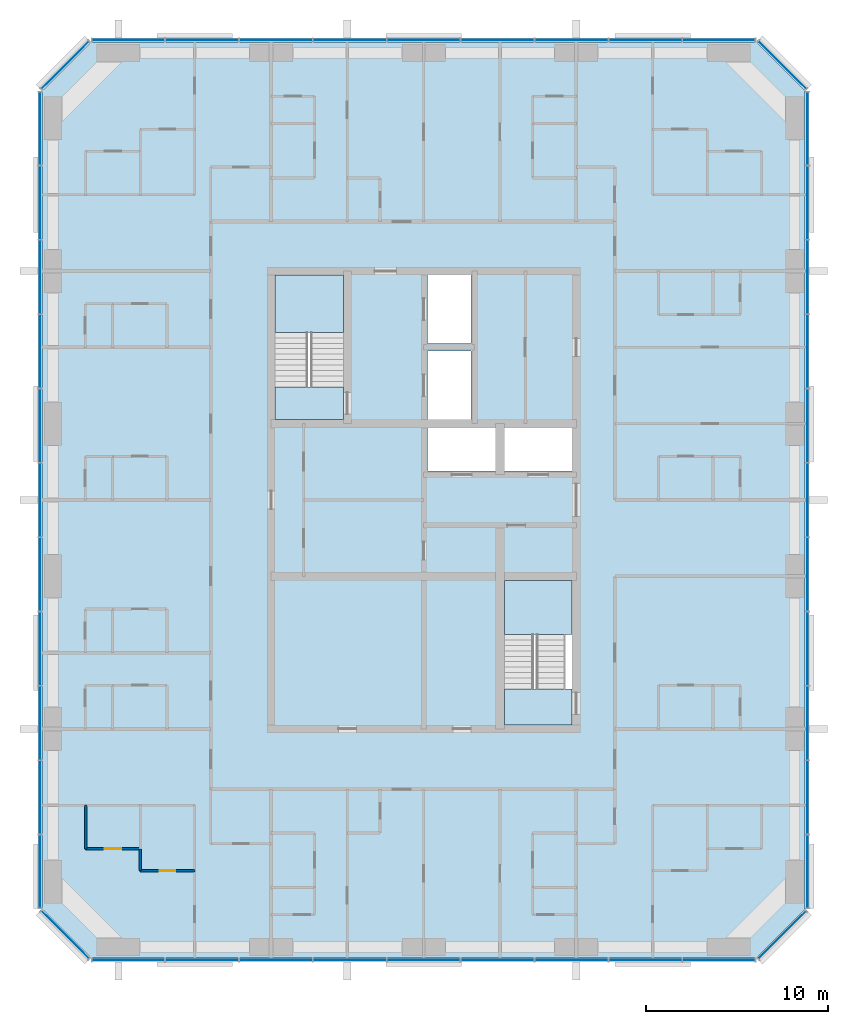
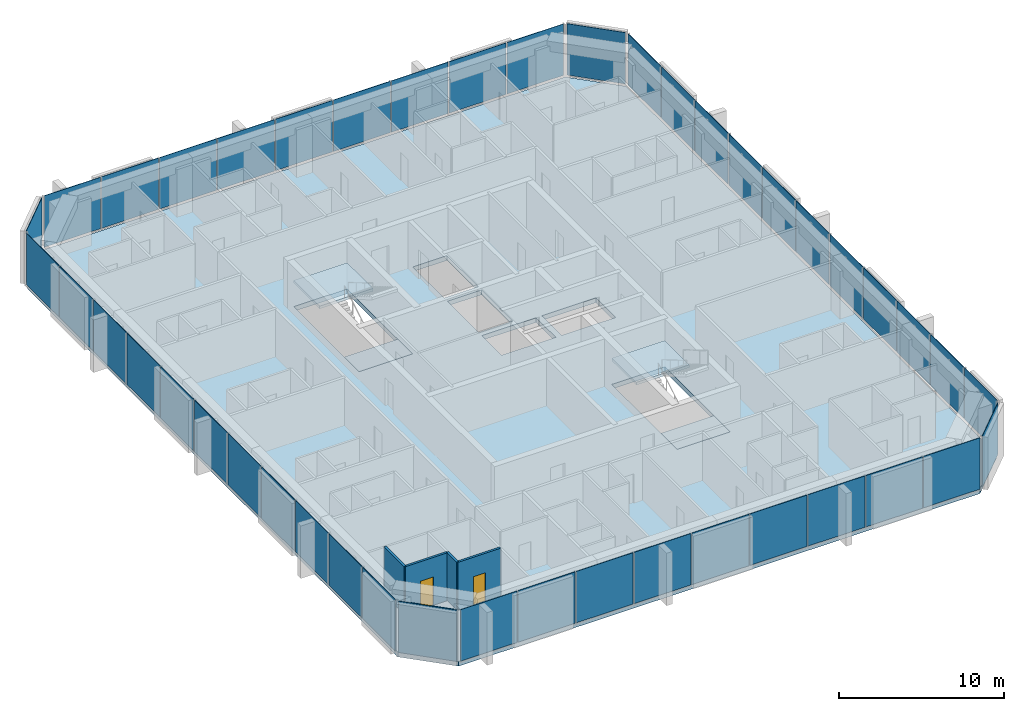
# One storey, part 6 of 13: 44 plates, 5 slabs, 4 walls, 2 doors, 2 openings, 10 elements without a shape of their own.
"""IFC4 building model written with IfcOpenShell, lengths in metres."""

from ifc_helpers import new_model, si_unit, direction, frame, frame_2d, origin, origin_2d, place, context, subcontext, project, spatial, polyline, rectangle, outline, extrude, material, layer, layer_set, type_object, element, fill, aggregate, save


model = new_model("IFC4")

# Units and contexts
model_context = context("Model", 3, precision=1e-05, world=origin(), true_north=direction((0.0, 1.0)))
body_context = subcontext(model_context, "Body", "Model", "MODEL_VIEW")
ifc_project = project(units=[si_unit("LENGTHUNIT", "METRE"), si_unit("AREAUNIT", "SQUARE_METRE"), si_unit("VOLUMEUNIT", "CUBIC_METRE"), si_unit("PLANEANGLEUNIT", "RADIAN"), si_unit("MASSUNIT", "GRAM", prefix="KILO")], contexts=[model_context])

# Site, building, storey
site_placement = place(None, origin())
site = spatial("IfcSite", under=ifc_project, at=site_placement, CompositionType="ELEMENT")
building_placement = place(site_placement, origin())
building = spatial("IfcBuilding", under=site, at=building_placement, Name="Dunama Terrace Hotel", CompositionType="ELEMENT")
storey_placement = place(building_placement, frame((0.0, 0.0, 280.199951171875)))
storey = spatial("IfcBuildingStorey", under=building, at=storey_placement, Name="L72", CompositionType="ELEMENT", Elevation=280.199951171875)

# Curtain wall, plates
ifc_material_1 = material(Name="Aluminium curtain wall system", Category="aluminium")
curtain_wall_type = type_object("IfcCurtainWallType", Name="Unitised fritted glass wall CW-D", PredefinedType="NOTDEFINED", material=ifc_material_1)
curtain_wall_1_placement = place(storey_placement, origin())
curtain_wall_1 = element("IfcCurtainWall", 1, at=curtain_wall_1_placement, inside=storey, type_object=curtain_wall_type, Name="Unitised fritted glass wall CW-D L72", PredefinedType="NOTDEFINED")
ifc_material_2 = material(Name="Laminated glass", Category="glass")
ifc_layer_1 = layer(ifc_material_2, 0.035888671875)
ifc_layer_set_1 = layer_set([ifc_layer_1], Name="CWD clear glass panel")
plate_type_1 = type_object("IfcPlateType", Name="CWD clear glass panel", PredefinedType="CURTAIN_PANEL", material=ifc_layer_set_1)
plate_1_placement = place(storey_placement, frame((25.467041015625, 4.080078125, 0.0849609375), z_axis=(0.0, 0.0, 1.0), x_axis=(1.0, 0.0, 0.0)))
plate_1 = element("IfcPlate", 2, at=plate_1_placement, type_object=plate_type_1, Name="CWD clear glass panel", PredefinedType="CURTAIN_PANEL", context=body_context, shape_type="SweptSolid", body=[
    extrude(rectangle(XDim=3.99658203125, YDim=0.035888671875, at=origin_2d()), origin(), (0.0, 0.0, 1.0), 3.81494140625),
])
plate_2_placement = place(storey_placement, frame((37.6669921875, 4.080078125, 0.0849609375), z_axis=(0.0, 0.0, 1.0), x_axis=(1.0, 0.0, 0.0)))
plate_2 = element("IfcPlate", 3, at=plate_2_placement, type_object=plate_type_1, Name="CWD clear glass panel", PredefinedType="CURTAIN_PANEL", context=body_context, shape_type="SweptSolid", body=[
    extrude(rectangle(XDim=3.99658203125, YDim=0.035888671875, at=origin_2d()), origin(), (0.0, 0.0, 1.0), 3.81494140625),
])
plate_3_placement = place(storey_placement, frame((49.84912109375, 4.080078125, 0.0849609375), z_axis=(0.0, 0.0, 1.0), x_axis=(1.0, 0.0, 0.0)))
plate_3 = element("IfcPlate", 4, at=plate_3_placement, type_object=plate_type_1, Name="CWD clear glass panel", PredefinedType="CURTAIN_PANEL", context=body_context, shape_type="SweptSolid", body=[
    extrude(rectangle(XDim=3.961669921875, YDim=0.035888671875, at=origin_2d()), origin(), (0.0, 0.0, 1.0), 3.81494140625),
])

curtain_wall_2_placement = place(storey_placement, origin())
curtain_wall_2 = element("IfcCurtainWall", 5, at=curtain_wall_2_placement, inside=storey, type_object=curtain_wall_type, Name="Unitised fritted glass wall CW-D L72", PredefinedType="NOTDEFINED")
plate_4_placement = place(storey_placement, frame((54.719970703125, 13.035888671875, 0.0849609375), z_axis=(0.0, 0.0, 1.0), x_axis=(0.0, 1.0, 0.0)))
plate_4 = element("IfcPlate", 6, at=plate_4_placement, type_object=plate_type_1, Name="CWD clear glass panel", PredefinedType="CURTAIN_PANEL", context=body_context, shape_type="SweptSolid", body=[
    extrude(rectangle(XDim=4.02099609375, YDim=0.035888671875, at=origin_2d()), origin(), (0.0, 0.0, 1.0), 3.81494140625),
])
plate_5_placement = place(storey_placement, frame((54.719970703125, 25.30908203125, 0.0849609375), z_axis=(0.0, 0.0, 1.0), x_axis=(0.0, 1.0, 0.0)))
plate_5 = element("IfcPlate", 7, at=plate_5_placement, type_object=plate_type_1, Name="CWD clear glass panel", PredefinedType="CURTAIN_PANEL", context=body_context, shape_type="SweptSolid", body=[
    extrude(rectangle(XDim=4.02099609375, YDim=0.035888671875, at=origin_2d()), origin(), (0.0, 0.0, 1.0), 3.81494140625),
])
plate_6_placement = place(storey_placement, frame((54.719970703125, 37.58203125, 0.0849609375), z_axis=(0.0, 0.0, 1.0), x_axis=(0.0, 1.0, 0.0)))
plate_6 = element("IfcPlate", 8, at=plate_6_placement, type_object=plate_type_1, Name="CWD clear glass panel", PredefinedType="CURTAIN_PANEL", context=body_context, shape_type="SweptSolid", body=[
    extrude(rectangle(XDim=4.02099609375, YDim=0.035888671875, at=origin_2d()), origin(), (0.0, 0.0, 1.0), 3.81494140625),
])
plate_7_placement = place(storey_placement, frame((54.719970703125, 49.8369140625, 0.0849609375), z_axis=(0.0, 0.0, 1.0), x_axis=(0.0, 1.0, 0.0)))
plate_7 = element("IfcPlate", 9, at=plate_7_placement, type_object=plate_type_1, Name="CWD clear glass panel", PredefinedType="CURTAIN_PANEL", context=body_context, shape_type="SweptSolid", body=[
    extrude(rectangle(XDim=3.98583984375, YDim=0.035888671875, at=origin_2d()), origin(), (0.0, 0.0, 1.0), 3.81494140625),
])

curtain_wall_3_placement = place(storey_placement, origin())
curtain_wall_3 = element("IfcCurtainWall", 10, at=curtain_wall_3_placement, inside=storey, type_object=curtain_wall_type, Name="Unitised fritted glass wall CW-D L72", PredefinedType="NOTDEFINED")
plate_8_placement = place(storey_placement, frame((45.800048828125, 54.719970703125, 0.0849609375), z_axis=(0.0, 0.0, 1.0), x_axis=(-1.0, 0.0, 0.0)))
plate_8 = element("IfcPlate", 11, at=plate_8_placement, type_object=plate_type_1, Name="CWD clear glass panel", PredefinedType="CURTAIN_PANEL", context=body_context, shape_type="SweptSolid", body=[
    extrude(rectangle(XDim=3.99658203125, YDim=0.035888671875, at=origin_2d()), origin(), (0.0, 0.0, 1.0), 3.81494140625),
])
plate_9_placement = place(storey_placement, frame((33.60009765625, 54.719970703125, 0.0849609375), z_axis=(0.0, 0.0, 1.0), x_axis=(-1.0, 0.0, 0.0)))
plate_9 = element("IfcPlate", 12, at=plate_9_placement, type_object=plate_type_1, Name="CWD clear glass panel", PredefinedType="CURTAIN_PANEL", context=body_context, shape_type="SweptSolid", body=[
    extrude(rectangle(XDim=3.99658203125, YDim=0.035888671875, at=origin_2d()), origin(), (0.0, 0.0, 1.0), 3.81494140625),
])
plate_10_placement = place(storey_placement, frame((21.39990234375, 54.719970703125, 0.0849609375), z_axis=(0.0, 0.0, 1.0), x_axis=(-1.0, 0.0, 0.0)))
plate_10 = element("IfcPlate", 13, at=plate_10_placement, type_object=plate_type_1, Name="CWD clear glass panel", PredefinedType="CURTAIN_PANEL", context=body_context, shape_type="SweptSolid", body=[
    extrude(rectangle(XDim=3.99658203125, YDim=0.035888671875, at=origin_2d()), origin(), (0.0, 0.0, 1.0), 3.81494140625),
])

curtain_wall_4_placement = place(storey_placement, origin())
curtain_wall_4 = element("IfcCurtainWall", 14, at=curtain_wall_4_placement, inside=storey, type_object=curtain_wall_type, Name="Unitised fritted glass wall CW-D L72", PredefinedType="NOTDEFINED")
plate_11_placement = place(storey_placement, frame((12.47998046875, 49.8369140625, 0.0849609375), z_axis=(0.0, 0.0, 1.0), x_axis=(0.0, -1.0, 0.0)))
plate_11 = element("IfcPlate", 15, at=plate_11_placement, type_object=plate_type_1, Name="CWD clear glass panel", PredefinedType="CURTAIN_PANEL", context=body_context, shape_type="SweptSolid", body=[
    extrude(rectangle(XDim=3.98583984375, YDim=0.035888671875, at=origin_2d()), origin(), (0.0, 0.0, 1.0), 3.81494140625),
])
plate_12_placement = place(storey_placement, frame((12.47998046875, 37.58203125, 0.0849609375), z_axis=(0.0, 0.0, 1.0), x_axis=(0.0, -1.0, 0.0)))
plate_12 = element("IfcPlate", 16, at=plate_12_placement, type_object=plate_type_1, Name="CWD clear glass panel", PredefinedType="CURTAIN_PANEL", context=body_context, shape_type="SweptSolid", body=[
    extrude(rectangle(XDim=4.02099609375, YDim=0.035888671875, at=origin_2d()), origin(), (0.0, 0.0, 1.0), 3.81494140625),
])
plate_13_placement = place(storey_placement, frame((12.47998046875, 25.30908203125, 0.0849609375), z_axis=(0.0, 0.0, 1.0), x_axis=(0.0, -1.0, 0.0)))
plate_13 = element("IfcPlate", 17, at=plate_13_placement, type_object=plate_type_1, Name="CWD clear glass panel", PredefinedType="CURTAIN_PANEL", context=body_context, shape_type="SweptSolid", body=[
    extrude(rectangle(XDim=4.02099609375, YDim=0.035888671875, at=origin_2d()), origin(), (0.0, 0.0, 1.0), 3.81494140625),
])
plate_14_placement = place(storey_placement, frame((12.47998046875, 13.035888671875, 0.0849609375), z_axis=(0.0, 0.0, 1.0), x_axis=(0.0, -1.0, 0.0)))
plate_14 = element("IfcPlate", 18, at=plate_14_placement, type_object=plate_type_1, Name="CWD clear glass panel", PredefinedType="CURTAIN_PANEL", context=body_context, shape_type="SweptSolid", body=[
    extrude(rectangle(XDim=4.02099609375, YDim=0.035888671875, at=origin_2d()), origin(), (0.0, 0.0, 1.0), 3.81494140625),
])

# Plate
ifc_material_3 = material(Name="Fritted laminated glass", Category="glass")
ifc_layer_2 = layer(ifc_material_3, 0.035888671875)
ifc_layer_set_2 = layer_set([ifc_layer_2], Name="CWD fritted glass panel")
plate_type_2 = type_object("IfcPlateType", Name="CWD fritted glass panel", PredefinedType="CURTAIN_PANEL", material=ifc_layer_set_2)
plate_15_placement = place(storey_placement, frame((21.39990234375, 4.080078125, 0.0849609375), z_axis=(0.0, 0.0, 1.0), x_axis=(1.0, 0.0, 0.0)))
plate_15 = element("IfcPlate", 19, at=plate_15_placement, type_object=plate_type_2, Name="CWD fritted glass panel", PredefinedType="CURTAIN_PANEL", context=body_context, shape_type="SweptSolid", body=[
    extrude(rectangle(XDim=3.99658203125, YDim=0.035888671875, at=origin_2d()), origin(), (0.0, 0.0, 1.0), 3.81494140625),
])

plate_16_placement = place(storey_placement, frame((33.60009765625, 4.080078125, 0.0849609375), z_axis=(0.0, 0.0, 1.0), x_axis=(1.0, 0.0, 0.0)))
plate_16 = element("IfcPlate", 20, at=plate_16_placement, type_object=plate_type_2, Name="CWD fritted glass panel", PredefinedType="CURTAIN_PANEL", context=body_context, shape_type="SweptSolid", body=[
    extrude(rectangle(XDim=3.99658203125, YDim=0.035888671875, at=origin_2d()), origin(), (0.0, 0.0, 1.0), 3.81494140625),
])

plate_17_placement = place(storey_placement, frame((45.800048828125, 4.080078125, 0.0849609375), z_axis=(0.0, 0.0, 1.0), x_axis=(1.0, 0.0, 0.0)))
plate_17 = element("IfcPlate", 21, at=plate_17_placement, type_object=plate_type_2, Name="CWD fritted glass panel", PredefinedType="CURTAIN_PANEL", context=body_context, shape_type="SweptSolid", body=[
    extrude(rectangle(XDim=3.99658203125, YDim=0.035888671875, at=origin_2d()), origin(), (0.0, 0.0, 1.0), 3.81494140625),
])

plate_18_placement = place(storey_placement, frame((54.719970703125, 8.962890625, 0.0849609375), z_axis=(0.0, 0.0, 1.0), x_axis=(0.0, 1.0, 0.0)))
plate_18 = element("IfcPlate", 22, at=plate_18_placement, type_object=plate_type_2, Name="CWD fritted glass panel", PredefinedType="CURTAIN_PANEL", context=body_context, shape_type="SweptSolid", body=[
    extrude(rectangle(XDim=3.98583984375, YDim=0.035888671875, at=origin_2d()), origin(), (0.0, 0.0, 1.0), 3.81494140625),
])

plate_19_placement = place(storey_placement, frame((54.719970703125, 21.218017578125, 0.0849609375), z_axis=(0.0, 0.0, 1.0), x_axis=(0.0, 1.0, 0.0)))
plate_19 = element("IfcPlate", 23, at=plate_19_placement, type_object=plate_type_2, Name="CWD fritted glass panel", PredefinedType="CURTAIN_PANEL", context=body_context, shape_type="SweptSolid", body=[
    extrude(rectangle(XDim=4.02099609375, YDim=0.035888671875, at=origin_2d()), origin(), (0.0, 0.0, 1.0), 3.81494140625),
])

plate_20_placement = place(storey_placement, frame((54.719970703125, 33.490966796875, 0.0849609375), z_axis=(0.0, 0.0, 1.0), x_axis=(0.0, 1.0, 0.0)))
plate_20 = element("IfcPlate", 24, at=plate_20_placement, type_object=plate_type_2, Name="CWD fritted glass panel", PredefinedType="CURTAIN_PANEL", context=body_context, shape_type="SweptSolid", body=[
    extrude(rectangle(XDim=4.02099609375, YDim=0.035888671875, at=origin_2d()), origin(), (0.0, 0.0, 1.0), 3.81494140625),
])

plate_21_placement = place(storey_placement, frame((54.719970703125, 45.763916015625, 0.0849609375), z_axis=(0.0, 0.0, 1.0), x_axis=(0.0, 1.0, 0.0)))
plate_21 = element("IfcPlate", 25, at=plate_21_placement, type_object=plate_type_2, Name="CWD fritted glass panel", PredefinedType="CURTAIN_PANEL", context=body_context, shape_type="SweptSolid", body=[
    extrude(rectangle(XDim=4.02099609375, YDim=0.035888671875, at=origin_2d()), origin(), (0.0, 0.0, 1.0), 3.81494140625),
])

plate_22_placement = place(storey_placement, frame((49.84912109375, 54.719970703125, 0.0849609375), z_axis=(0.0, 0.0, 1.0), x_axis=(-1.0, 0.0, 0.0)))
plate_22 = element("IfcPlate", 26, at=plate_22_placement, type_object=plate_type_2, Name="CWD fritted glass panel", PredefinedType="CURTAIN_PANEL", context=body_context, shape_type="SweptSolid", body=[
    extrude(rectangle(XDim=3.961669921875, YDim=0.035888671875, at=origin_2d()), origin(), (0.0, 0.0, 1.0), 3.81494140625),
])

plate_23_placement = place(storey_placement, frame((37.6669921875, 54.719970703125, 0.0849609375), z_axis=(0.0, 0.0, 1.0), x_axis=(-1.0, 0.0, 0.0)))
plate_23 = element("IfcPlate", 27, at=plate_23_placement, type_object=plate_type_2, Name="CWD fritted glass panel", PredefinedType="CURTAIN_PANEL", context=body_context, shape_type="SweptSolid", body=[
    extrude(rectangle(XDim=3.99658203125, YDim=0.035888671875, at=origin_2d()), origin(), (0.0, 0.0, 1.0), 3.81494140625),
])

plate_24_placement = place(storey_placement, frame((25.467041015625, 54.719970703125, 0.0849609375), z_axis=(0.0, 0.0, 1.0), x_axis=(-1.0, 0.0, 0.0)))
plate_24 = element("IfcPlate", 28, at=plate_24_placement, type_object=plate_type_2, Name="CWD fritted glass panel", PredefinedType="CURTAIN_PANEL", context=body_context, shape_type="SweptSolid", body=[
    extrude(rectangle(XDim=3.99658203125, YDim=0.035888671875, at=origin_2d()), origin(), (0.0, 0.0, 1.0), 3.81494140625),
])

# Curtain wall, plate
curtain_wall_5_placement = place(storey_placement, origin())
curtain_wall_5 = element("IfcCurtainWall", 29, at=curtain_wall_5_placement, inside=storey, type_object=curtain_wall_type, Name="Unitised fritted glass wall CW-D L72", PredefinedType="NOTDEFINED")
plate_25_placement = place(storey_placement, frame((13.864990234375, 53.3349609375, 0.0849609375), z_axis=(0.0, 0.0, 1.0), x_axis=(-0.707106781187, -0.707106781187, 0.0)))
plate_25 = element("IfcPlate", 30, at=plate_25_placement, type_object=plate_type_2, Name="CWD fritted glass panel", PredefinedType="CURTAIN_PANEL", context=body_context, shape_type="SweptSolid", body=[
    extrude(rectangle(XDim=3.678466796875, YDim=0.035888671875, at=origin_2d()), origin(), (0.0, 0.0, 1.0), 3.81494140625),
])
aggregate(curtain_wall_5, [plate_25])

# Plate
plate_26_placement = place(storey_placement, frame((12.47998046875, 41.673095703125, 0.0849609375), z_axis=(0.0, 0.0, 1.0), x_axis=(0.0, -1.0, 0.0)))
plate_26 = element("IfcPlate", 31, at=plate_26_placement, type_object=plate_type_2, Name="CWD fritted glass panel", PredefinedType="CURTAIN_PANEL", context=body_context, shape_type="SweptSolid", body=[
    extrude(rectangle(XDim=4.02099609375, YDim=0.035888671875, at=origin_2d()), origin(), (0.0, 0.0, 1.0), 3.81494140625),
])

plate_27_placement = place(storey_placement, frame((12.47998046875, 29.39990234375, 0.0849609375), z_axis=(0.0, 0.0, 1.0), x_axis=(0.0, -1.0, 0.0)))
plate_27 = element("IfcPlate", 32, at=plate_27_placement, type_object=plate_type_2, Name="CWD fritted glass panel", PredefinedType="CURTAIN_PANEL", context=body_context, shape_type="SweptSolid", body=[
    extrude(rectangle(XDim=4.02099609375, YDim=0.035888671875, at=origin_2d()), origin(), (0.0, 0.0, 1.0), 3.81494140625),
])

plate_28_placement = place(storey_placement, frame((12.47998046875, 17.126953125, 0.0849609375), z_axis=(0.0, 0.0, 1.0), x_axis=(0.0, -1.0, 0.0)))
plate_28 = element("IfcPlate", 33, at=plate_28_placement, type_object=plate_type_2, Name="CWD fritted glass panel", PredefinedType="CURTAIN_PANEL", context=body_context, shape_type="SweptSolid", body=[
    extrude(rectangle(XDim=4.02099609375, YDim=0.035888671875, at=origin_2d()), origin(), (0.0, 0.0, 1.0), 3.81494140625),
])

# Curtain wall, plate
curtain_wall_6_placement = place(storey_placement, origin())
curtain_wall_6 = element("IfcCurtainWall", 34, at=curtain_wall_6_placement, inside=storey, type_object=curtain_wall_type, Name="Unitised fritted glass wall CW-D L72", PredefinedType="NOTDEFINED")
plate_29_placement = place(storey_placement, frame((13.864990234375, 5.465087890625, 0.0849609375), z_axis=(0.0, 0.0, 1.0), x_axis=(0.707106781187, -0.707106781187, 0.0)))
plate_29 = element("IfcPlate", 35, at=plate_29_placement, type_object=plate_type_2, Name="CWD fritted glass panel", PredefinedType="CURTAIN_PANEL", context=body_context, shape_type="SweptSolid", body=[
    extrude(rectangle(XDim=3.678466796875, YDim=0.035888671875, at=origin_2d()), origin(), (0.0, 0.0, 1.0), 3.81494140625),
])
aggregate(curtain_wall_6, [plate_29])

# Plate
ifc_material_4 = material(Name="Laminated glass", Category="glass")
ifc_layer_3 = layer(ifc_material_4, 0.035888671875)
ifc_layer_set_3 = layer_set([ifc_layer_3], Name="CWD operable glass panel")
plate_type_3 = type_object("IfcPlateType", Name="CWD operable glass panel", PredefinedType="CURTAIN_PANEL", material=ifc_layer_set_3)
plate_30_placement = place(storey_placement, frame((17.35107421875, 4.080078125, 0.0849609375), z_axis=(0.0, 0.0, 1.0), x_axis=(1.0, 0.0, 0.0)))
plate_30 = element("IfcPlate", 36, at=plate_30_placement, type_object=plate_type_3, Name="CWD operable glass panel", PredefinedType="CURTAIN_PANEL", context=body_context, shape_type="SweptSolid", body=[
    extrude(rectangle(XDim=3.961669921875, YDim=0.035888671875, at=origin_2d()), origin(), (0.0, 0.0, 1.0), 3.81494140625),
])

plate_31_placement = place(storey_placement, frame((29.532958984375, 4.080078125, 0.0849609375), z_axis=(0.0, 0.0, 1.0), x_axis=(1.0, 0.0, 0.0)))
plate_31 = element("IfcPlate", 37, at=plate_31_placement, type_object=plate_type_3, Name="CWD operable glass panel", PredefinedType="CURTAIN_PANEL", context=body_context, shape_type="SweptSolid", body=[
    extrude(rectangle(XDim=3.99658203125, YDim=0.035888671875, at=origin_2d()), origin(), (0.0, 0.0, 1.0), 3.81494140625),
])

plate_32_placement = place(storey_placement, frame((41.73291015625, 4.080078125, 0.0849609375), z_axis=(0.0, 0.0, 1.0), x_axis=(1.0, 0.0, 0.0)))
plate_32 = element("IfcPlate", 38, at=plate_32_placement, type_object=plate_type_3, Name="CWD operable glass panel", PredefinedType="CURTAIN_PANEL", context=body_context, shape_type="SweptSolid", body=[
    extrude(rectangle(XDim=3.99658203125, YDim=0.035888671875, at=origin_2d()), origin(), (0.0, 0.0, 1.0), 3.81494140625),
])

aggregate(curtain_wall_1, [plate_30, plate_15, plate_1, plate_31, plate_16, plate_2, plate_32, plate_17, plate_3])

# Curtain wall, plate
curtain_wall_7_placement = place(storey_placement, origin())
curtain_wall_7 = element("IfcCurtainWall", 39, at=curtain_wall_7_placement, inside=storey, type_object=curtain_wall_type, Name="Unitised fritted glass wall CW-D L72", PredefinedType="NOTDEFINED")
plate_33_placement = place(storey_placement, frame((53.3349609375, 5.465087890625, 0.0849609375), z_axis=(0.0, 0.0, 1.0), x_axis=(0.707106781187, 0.707106781187, 0.0)))
plate_33 = element("IfcPlate", 40, at=plate_33_placement, type_object=plate_type_3, Name="CWD operable glass panel", PredefinedType="CURTAIN_PANEL", context=body_context, shape_type="SweptSolid", body=[
    extrude(rectangle(XDim=3.678466796875, YDim=0.035888671875, at=origin_2d()), origin(), (0.0, 0.0, 1.0), 3.81494140625),
])
aggregate(curtain_wall_7, [plate_33])

# Plate
plate_34_placement = place(storey_placement, frame((54.719970703125, 17.126953125, 0.0849609375), z_axis=(0.0, 0.0, 1.0), x_axis=(0.0, 1.0, 0.0)))
plate_34 = element("IfcPlate", 41, at=plate_34_placement, type_object=plate_type_3, Name="CWD operable glass panel", PredefinedType="CURTAIN_PANEL", context=body_context, shape_type="SweptSolid", body=[
    extrude(rectangle(XDim=4.02099609375, YDim=0.035888671875, at=origin_2d()), origin(), (0.0, 0.0, 1.0), 3.81494140625),
])

plate_35_placement = place(storey_placement, frame((54.719970703125, 29.39990234375, 0.0849609375), z_axis=(0.0, 0.0, 1.0), x_axis=(0.0, 1.0, 0.0)))
plate_35 = element("IfcPlate", 42, at=plate_35_placement, type_object=plate_type_3, Name="CWD operable glass panel", PredefinedType="CURTAIN_PANEL", context=body_context, shape_type="SweptSolid", body=[
    extrude(rectangle(XDim=4.02099609375, YDim=0.035888671875, at=origin_2d()), origin(), (0.0, 0.0, 1.0), 3.81494140625),
])

plate_36_placement = place(storey_placement, frame((54.719970703125, 41.673095703125, 0.0849609375), z_axis=(0.0, 0.0, 1.0), x_axis=(0.0, 1.0, 0.0)))
plate_36 = element("IfcPlate", 43, at=plate_36_placement, type_object=plate_type_3, Name="CWD operable glass panel", PredefinedType="CURTAIN_PANEL", context=body_context, shape_type="SweptSolid", body=[
    extrude(rectangle(XDim=4.02099609375, YDim=0.035888671875, at=origin_2d()), origin(), (0.0, 0.0, 1.0), 3.81494140625),
])

aggregate(curtain_wall_2, [plate_18, plate_4, plate_34, plate_19, plate_5, plate_35, plate_20, plate_6, plate_36, plate_21, plate_7])

# Curtain wall, plate
curtain_wall_8_placement = place(storey_placement, origin())
curtain_wall_8 = element("IfcCurtainWall", 44, at=curtain_wall_8_placement, inside=storey, type_object=curtain_wall_type, Name="Unitised fritted glass wall CW-D L72", PredefinedType="NOTDEFINED")
plate_37_placement = place(storey_placement, frame((53.3349609375, 53.3349609375, 0.0849609375), z_axis=(0.0, 0.0, 1.0), x_axis=(-0.707106781187, 0.707106781187, 0.0)))
plate_37 = element("IfcPlate", 45, at=plate_37_placement, type_object=plate_type_3, Name="CWD operable glass panel", PredefinedType="CURTAIN_PANEL", context=body_context, shape_type="SweptSolid", body=[
    extrude(rectangle(XDim=3.678466796875, YDim=0.035888671875, at=origin_2d()), origin(), (0.0, 0.0, 1.0), 3.81494140625),
])
aggregate(curtain_wall_8, [plate_37])

# Plate
plate_38_placement = place(storey_placement, frame((41.73291015625, 54.719970703125, 0.0849609375), z_axis=(0.0, 0.0, 1.0), x_axis=(-1.0, 0.0, 0.0)))
plate_38 = element("IfcPlate", 46, at=plate_38_placement, type_object=plate_type_3, Name="CWD operable glass panel", PredefinedType="CURTAIN_PANEL", context=body_context, shape_type="SweptSolid", body=[
    extrude(rectangle(XDim=3.99658203125, YDim=0.035888671875, at=origin_2d()), origin(), (0.0, 0.0, 1.0), 3.81494140625),
])

plate_39_placement = place(storey_placement, frame((29.532958984375, 54.719970703125, 0.0849609375), z_axis=(0.0, 0.0, 1.0), x_axis=(-1.0, 0.0, 0.0)))
plate_39 = element("IfcPlate", 47, at=plate_39_placement, type_object=plate_type_3, Name="CWD operable glass panel", PredefinedType="CURTAIN_PANEL", context=body_context, shape_type="SweptSolid", body=[
    extrude(rectangle(XDim=3.99658203125, YDim=0.035888671875, at=origin_2d()), origin(), (0.0, 0.0, 1.0), 3.81494140625),
])

plate_40_placement = place(storey_placement, frame((17.35107421875, 54.719970703125, 0.0849609375), z_axis=(0.0, 0.0, 1.0), x_axis=(-1.0, 0.0, 0.0)))
plate_40 = element("IfcPlate", 48, at=plate_40_placement, type_object=plate_type_3, Name="CWD operable glass panel", PredefinedType="CURTAIN_PANEL", context=body_context, shape_type="SweptSolid", body=[
    extrude(rectangle(XDim=3.961669921875, YDim=0.035888671875, at=origin_2d()), origin(), (0.0, 0.0, 1.0), 3.81494140625),
])

aggregate(curtain_wall_3, [plate_22, plate_8, plate_38, plate_23, plate_9, plate_39, plate_24, plate_10, plate_40])

plate_41_placement = place(storey_placement, frame((12.47998046875, 45.763916015625, 0.0849609375), z_axis=(0.0, 0.0, 1.0), x_axis=(0.0, -1.0, 0.0)))
plate_41 = element("IfcPlate", 49, at=plate_41_placement, type_object=plate_type_3, Name="CWD operable glass panel", PredefinedType="CURTAIN_PANEL", context=body_context, shape_type="SweptSolid", body=[
    extrude(rectangle(XDim=4.02099609375, YDim=0.035888671875, at=origin_2d()), origin(), (0.0, 0.0, 1.0), 3.81494140625),
])

plate_42_placement = place(storey_placement, frame((12.47998046875, 33.490966796875, 0.0849609375), z_axis=(0.0, 0.0, 1.0), x_axis=(0.0, -1.0, 0.0)))
plate_42 = element("IfcPlate", 50, at=plate_42_placement, type_object=plate_type_3, Name="CWD operable glass panel", PredefinedType="CURTAIN_PANEL", context=body_context, shape_type="SweptSolid", body=[
    extrude(rectangle(XDim=4.02099609375, YDim=0.035888671875, at=origin_2d()), origin(), (0.0, 0.0, 1.0), 3.81494140625),
])

plate_43_placement = place(storey_placement, frame((12.47998046875, 21.218017578125, 0.0849609375), z_axis=(0.0, 0.0, 1.0), x_axis=(0.0, -1.0, 0.0)))
plate_43 = element("IfcPlate", 51, at=plate_43_placement, type_object=plate_type_3, Name="CWD operable glass panel", PredefinedType="CURTAIN_PANEL", context=body_context, shape_type="SweptSolid", body=[
    extrude(rectangle(XDim=4.02099609375, YDim=0.035888671875, at=origin_2d()), origin(), (0.0, 0.0, 1.0), 3.81494140625),
])

plate_44_placement = place(storey_placement, frame((12.47998046875, 8.962890625, 0.0849609375), z_axis=(0.0, 0.0, 1.0), x_axis=(0.0, -1.0, 0.0)))
plate_44 = element("IfcPlate", 52, at=plate_44_placement, type_object=plate_type_3, Name="CWD operable glass panel", PredefinedType="CURTAIN_PANEL", context=body_context, shape_type="SweptSolid", body=[
    extrude(rectangle(XDim=3.98583984375, YDim=0.035888671875, at=origin_2d()), origin(), (0.0, 0.0, 1.0), 3.81494140625),
])

aggregate(curtain_wall_4, [plate_11, plate_41, plate_26, plate_12, plate_42, plate_27, plate_13, plate_43, plate_28, plate_14, plate_44])

# Slab
ifc_material_5 = material(Name="Concrete C40/50", Category="concrete")
ifc_layer_4 = layer(ifc_material_5, 0.35009765625)
ifc_layer_set_4 = layer_set([ifc_layer_4], Name="Flat plate 350")
slab_type_1 = type_object("IfcSlabType", Name="Flat plate 350", PredefinedType="FLOOR", material=ifc_layer_set_4)
slab_1_placement = place(storey_placement, frame((0.0, 0.0, -0.349853515625)))
element("IfcSlab", 53, at=slab_1_placement, inside=storey, type_object=slab_type_1, Name="Floor slab L72", PredefinedType="FLOOR", context=body_context, shape_type="SweptSolid", body=[
    extrude(outline(polyline([(15.300048828125, 4.199951171875), (51.89990234375, 4.199951171875), (54.60009765625, 6.89990234375), (54.60009765625, 51.89990234375), (51.89990234375, 54.60009765625), (15.300048828125, 54.60009765625), (12.60009765625, 51.89990234375), (12.60009765625, 6.89990234375), (15.300048828125, 4.199951171875)]), holes=[polyline([(37.60009765625, 31.0), (37.60009765625, 33.39990234375), (33.800048828125, 33.39990234375), (33.800048828125, 31.0), (37.60009765625, 31.0)]), polyline([(41.800048828125, 31.0), (41.800048828125, 33.39990234375), (38.0, 33.39990234375), (38.0, 31.0), (41.800048828125, 31.0)]), polyline([(36.199951171875, 38.0), (36.199951171875, 41.800048828125), (33.800048828125, 41.800048828125), (33.800048828125, 38.0), (36.199951171875, 38.0)]), polyline([(36.199951171875, 33.800048828125), (36.199951171875, 37.60009765625), (33.800048828125, 37.60009765625), (33.800048828125, 33.800048828125), (36.199951171875, 33.800048828125)]), polyline([(29.175048828125, 33.824951171875), (29.175048828125, 41.77490234375), (25.425048828125, 41.77490234375), (25.425048828125, 33.824951171875), (29.175048828125, 33.824951171875)]), polyline([(41.77490234375, 17.02490234375), (41.77490234375, 24.97509765625), (38.050048828125, 24.97509765625), (38.050048828125, 17.02490234375), (41.77490234375, 17.02490234375)])]), origin(), (0.0, 0.0, 1.0), 0.349853515625),
])

# Stair, slabs
ifc_material_6 = material(Name="Concrete C40/50", Category="concrete")
stair_type_1 = type_object("IfcStairType", Name="Stair ST1-3900-1800", PredefinedType="HALF_TURN_STAIR", material=ifc_material_6)
stair_1_placement = place(storey_placement, origin())
stair_1 = element("IfcStair", 54, at=stair_1_placement, inside=storey, type_object=stair_type_1, Name="Stair ST1 L72", PredefinedType="HALF_TURN_STAIR")
ifc_material_7 = material(Name="Concrete C40/50", Category="concrete")
ifc_layer_5 = layer(ifc_material_7, 0.199951171875)
ifc_layer_set_5 = layer_set([ifc_layer_5], Name="Stair landing 200")
slab_type_2 = type_object("IfcSlabType", Name="Stair landing 200", PredefinedType="LANDING", material=ifc_layer_set_5)
slab_2_placement = place(storey_placement, frame((0.0, 0.0, -0.199951171875)))
slab_2 = element("IfcSlab", 55, at=slab_2_placement, type_object=slab_type_2, Name="ST1 landing 1, type S10", PredefinedType="LANDING", context=body_context, shape_type="SweptSolid", body=[
    extrude(outline(polyline([(25.425048828125, 33.824951171875), (29.175048828125, 33.824951171875), (29.175048828125, 35.625), (25.425048828125, 35.625), (25.425048828125, 33.824951171875)])), origin(), (0.0, 0.0, 1.0), 0.199951171875),
])
slab_3_placement = place(storey_placement, frame((0.0, 0.0, 1.75)))
slab_3 = element("IfcSlab", 56, at=slab_3_placement, type_object=slab_type_2, Name="ST1 landing 2, type S10", PredefinedType="LANDING", context=body_context, shape_type="SweptSolid", body=[
    extrude(outline(polyline([(25.425048828125, 38.625), (29.175048828125, 38.625), (29.175048828125, 41.77490234375), (25.425048828125, 41.77490234375), (25.425048828125, 38.625)])), origin(), (0.0, 0.0, 1.0), 0.199951171875),
])
aggregate(stair_1, [slab_2, slab_3])

ifc_material_8 = material(Name="Concrete C40/50", Category="concrete")
stair_type_2 = type_object("IfcStairType", Name="Stair ST2-3900-1600", PredefinedType="HALF_TURN_STAIR", material=ifc_material_8)
stair_2_placement = place(storey_placement, origin())
stair_2 = element("IfcStair", 57, at=stair_2_placement, inside=storey, type_object=stair_type_2, Name="Stair ST2 L72", PredefinedType="HALF_TURN_STAIR")
slab_4_placement = place(storey_placement, frame((0.0, 0.0, -0.199951171875)))
slab_4 = element("IfcSlab", 58, at=slab_4_placement, type_object=slab_type_2, Name="ST2 landing 1, type S10", PredefinedType="LANDING", context=body_context, shape_type="SweptSolid", body=[
    extrude(outline(polyline([(38.050048828125, 17.02490234375), (41.77490234375, 17.02490234375), (41.77490234375, 19.0), (38.050048828125, 19.0), (38.050048828125, 17.02490234375)])), origin(), (0.0, 0.0, 1.0), 0.199951171875),
])
slab_5_placement = place(storey_placement, frame((0.0, 0.0, 1.75)))
slab_5 = element("IfcSlab", 59, at=slab_5_placement, type_object=slab_type_2, Name="ST2 landing 2, type S10", PredefinedType="LANDING", context=body_context, shape_type="SweptSolid", body=[
    extrude(outline(polyline([(38.050048828125, 22.0), (41.77490234375, 22.0), (41.77490234375, 24.97509765625), (38.050048828125, 24.97509765625), (38.050048828125, 22.0)])), origin(), (0.0, 0.0, 1.0), 0.199951171875),
])
aggregate(stair_2, [slab_4, slab_5])

# Wall
ifc_material_9 = material(Name="Gypsum board partition", Category="masonry")
ifc_layer_6 = layer(ifc_material_9, 0.14990234375)
ifc_layer_set_6 = layer_set([ifc_layer_6], Name="Bathroom partition 150")
wall_type_1 = type_object("IfcWallType", Name="Bathroom partition 150", PredefinedType="PARTITIONING", material=ifc_layer_set_6)
wall_1_placement = place(storey_placement, frame((18.0, 9.0, 0.0), z_axis=(0.0, 0.0, 1.0), x_axis=(0.0, 1.0, 0.0)))
element("IfcWall", 60, at=wall_1_placement, inside=storey, type_object=wall_type_1, Name="Bathroom partition 150 L72", PredefinedType="PARTITIONING", context=body_context, shape_type="SweptSolid", body=[
    extrude(rectangle(XDim=1.199951171875, YDim=0.14990234375, at=frame_2d((0.60009765625, 0.0))), origin(), (0.0, 0.0, 1.0), 3.550048828125),
])

# Wall, opening, door
wall_2_placement = place(storey_placement, frame((18.0, 9.0, 0.0), z_axis=(0.0, 0.0, 1.0), x_axis=(1.0, 0.0, 0.0)))
wall_2 = element("IfcWall", 61, at=wall_2_placement, inside=storey, type_object=wall_type_1, Name="Bathroom partition 150 L72", PredefinedType="PARTITIONING", context=body_context, shape_type="SweptSolid", body=[
    extrude(rectangle(XDim=3.0, YDim=0.14990234375, at=frame_2d((1.5, 0.0))), origin(), (0.0, 0.0, 1.0), 3.550048828125),
])
opening_1_placement = place(wall_2_placement, frame((1.074951171875, 0.0, 0.0)))
opening_1 = element("IfcOpeningElement", 62, at=opening_1_placement, cuts=wall_2, Name="Opening L71-72-050", PredefinedType="OPENING", context=body_context, shape_type="SweptSolid", body=[
    extrude(rectangle(XDim=0.85009765625, YDim=2.10009765625, at=frame_2d((0.425048828125, 1.050048828125))), frame((0.0, 0.0849609375, 0.0), z_axis=(0.0, -1.0, 0.0), x_axis=(1.0, 0.0, 0.0)), (0.0, 0.0, 1.0), 0.169921875),
])
ifc_material_10 = material(Name="Timber door with steel frame", Category="steel")
door_type_1 = type_object("IfcDoorType", Name="Bathroom door 850", OperationType="SINGLE_SWING_LEFT", PredefinedType="DOOR", material=ifc_material_10)
door_1_placement = place(opening_1_placement, origin())
door_1 = element("IfcDoor", 63, at=door_1_placement, inside=storey, type_object=door_type_1, Name="Door to en-suite bathroom L71-72-050, type D2", OperationType="SINGLE_SWING_LEFT", OverallHeight=2.10009765625, OverallWidth=0.85009765625, PredefinedType="DOOR", context=body_context, shape_type="SweptSolid", body=[
    extrude(rectangle(XDim=0.85009765625, YDim=2.10009765625, at=frame_2d((0.425048828125, 1.050048828125))), frame((0.0, 0.02490234375, 0.0), z_axis=(0.0, -1.0, 0.0), x_axis=(1.0, 0.0, 0.0)), (0.0, 0.0, 1.0), 0.050048828125),
])
fill(opening_1, door_1)

# Wall
ifc_material_11 = material(Name="Gypsum board partition", Category="masonry")
ifc_layer_7 = layer(ifc_material_11, 0.14990234375)
ifc_layer_set_7 = layer_set([ifc_layer_7], Name="Room partition 150")
wall_type_2 = type_object("IfcWallType", Name="Room partition 150", PredefinedType="PARTITIONING", material=ifc_layer_set_7)
wall_3_placement = place(storey_placement, frame((15.0, 10.199951171875, 0.0), z_axis=(0.0, 0.0, 1.0), x_axis=(0.0, 1.0, 0.0)))
element("IfcWall", 64, at=wall_3_placement, inside=storey, type_object=wall_type_2, Name="Room partition 150 L72", PredefinedType="PARTITIONING", context=body_context, shape_type="SweptSolid", body=[
    extrude(rectangle(XDim=2.400146484375, YDim=0.14990234375, at=frame_2d((1.2001953125, 0.0))), origin(), (0.0, 0.0, 1.0), 3.550048828125),
])

# Wall, opening, door
wall_4_placement = place(storey_placement, frame((15.0, 10.199951171875, 0.0), z_axis=(0.0, 0.0, 1.0), x_axis=(1.0, 0.0, 0.0)))
wall_4 = element("IfcWall", 65, at=wall_4_placement, inside=storey, type_object=wall_type_2, Name="Room partition 150 L72", PredefinedType="PARTITIONING", context=body_context, shape_type="SweptSolid", body=[
    extrude(rectangle(XDim=3.0, YDim=0.14990234375, at=frame_2d((1.5, 0.0))), origin(), (0.0, 0.0, 1.0), 3.550048828125),
])
opening_2_placement = place(wall_4_placement, frame((1.050048828125, 0.0, 0.0)))
opening_2 = element("IfcOpeningElement", 66, at=opening_2_placement, cuts=wall_4, Name="Opening L71-72-051", PredefinedType="OPENING", context=body_context, shape_type="SweptSolid", body=[
    extrude(rectangle(XDim=0.89990234375, YDim=2.10009765625, at=frame_2d((0.449951171875, 1.050048828125))), frame((0.0, 0.0849609375, 0.0), z_axis=(0.0, -1.0, 0.0), x_axis=(1.0, 0.0, 0.0)), (0.0, 0.0, 1.0), 0.169921875),
])
ifc_material_12 = material(Name="Timber door with steel frame", Category="steel")
door_type_2 = type_object("IfcDoorType", Name="Suite internal door 900", OperationType="SINGLE_SWING_LEFT", PredefinedType="DOOR", material=ifc_material_12)
door_2_placement = place(opening_2_placement, origin())
door_2 = element("IfcDoor", 67, at=door_2_placement, inside=storey, type_object=door_type_2, Name="Door to dressing room L71-72-051, type D16", OperationType="SINGLE_SWING_LEFT", OverallHeight=2.10009765625, OverallWidth=0.89990234375, PredefinedType="DOOR", context=body_context, shape_type="SweptSolid", body=[
    extrude(rectangle(XDim=0.89990234375, YDim=2.10009765625, at=frame_2d((0.449951171875, 1.050048828125))), frame((0.0, 0.02490234375, 0.0), z_axis=(0.0, -1.0, 0.0), x_axis=(1.0, 0.0, 0.0)), (0.0, 0.0, 1.0), 0.050048828125),
])
fill(opening_2, door_2)

save(model, "model.ifc")
